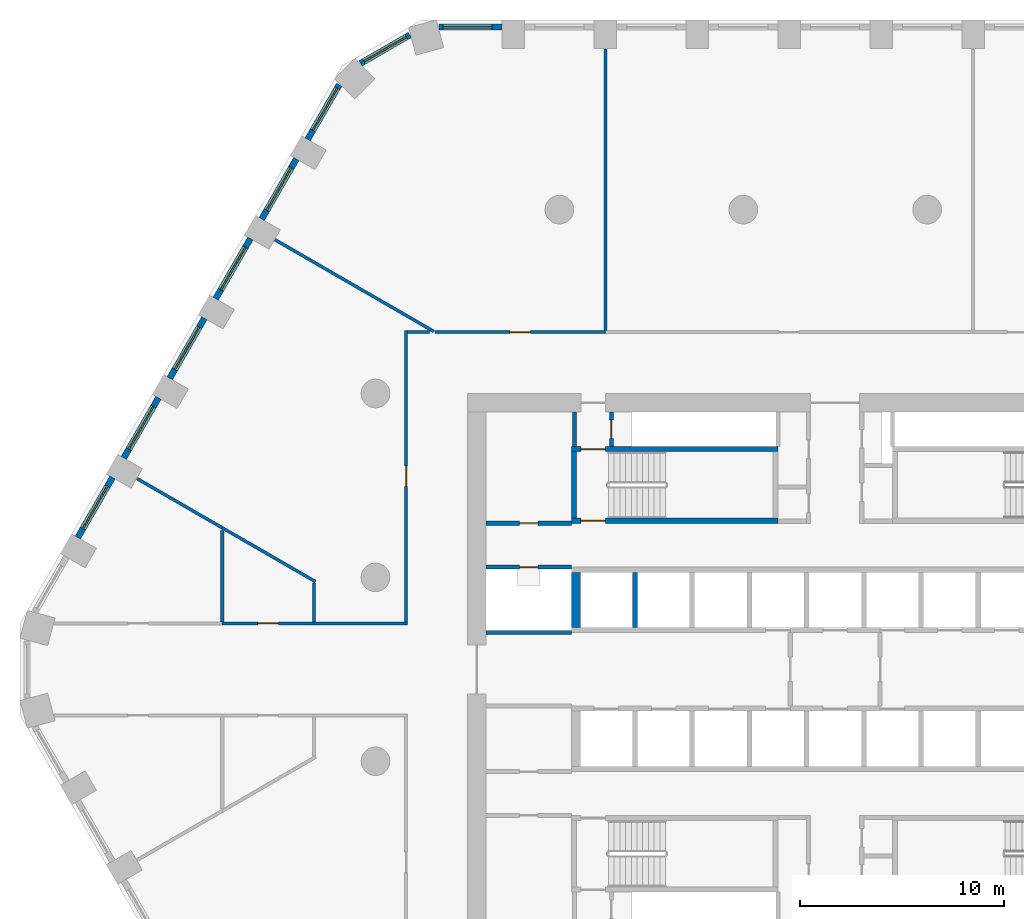
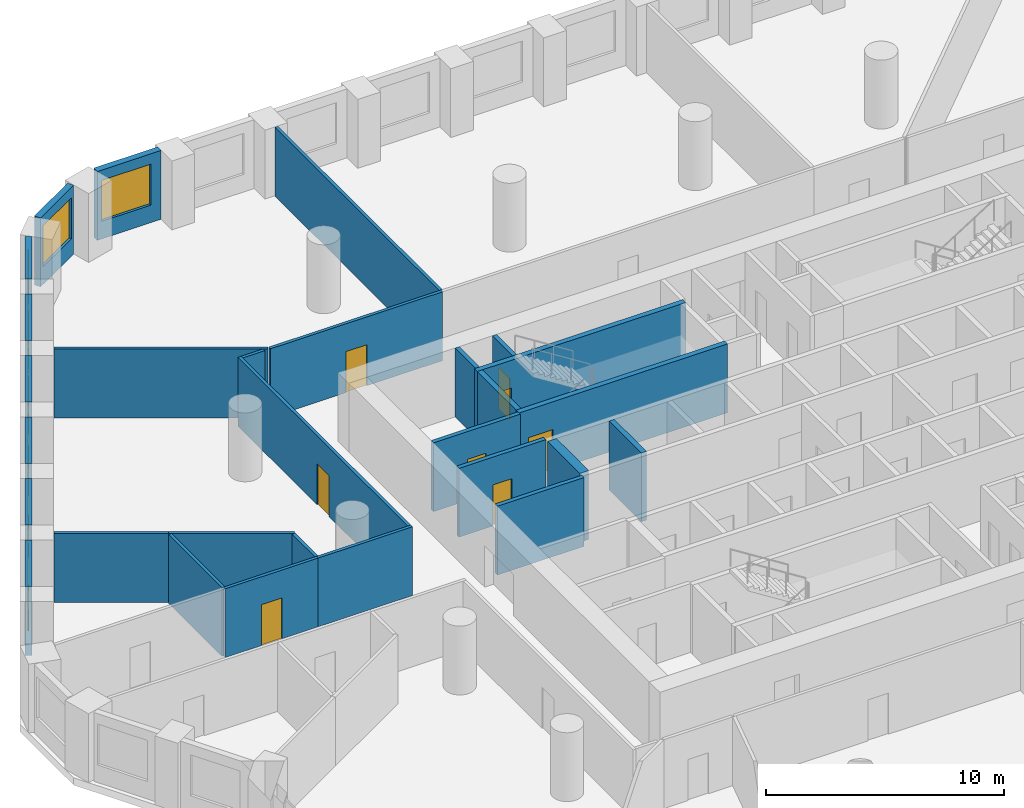
# One storey, part 5 of 10: 29 walls, 8 doors, 8 windows, 16 openings.
"""IFC4 building model written with IfcOpenShell, lengths in metres."""

from ifc_helpers import new_model, si_unit, direction, frame, frame_2d, origin, place, context, subcontext, project, spatial, polyline, rectangle, outline, extrude, material, layer, layer_set, type_object, element, fill, save


model = new_model("IFC4")

# Units and contexts
model_context = context("Model", 3, precision=1e-05, world=origin(), true_north=direction((0.0, 1.0)))
body_context = subcontext(model_context, "Body", "Model", "MODEL_VIEW")
ifc_project = project(units=[si_unit("LENGTHUNIT", "METRE"), si_unit("AREAUNIT", "SQUARE_METRE"), si_unit("VOLUMEUNIT", "CUBIC_METRE"), si_unit("PLANEANGLEUNIT", "RADIAN"), si_unit("MASSUNIT", "GRAM", prefix="KILO")], contexts=[model_context])

# Site, building, storey
site_placement = place(None, origin())
site = spatial("IfcSite", under=ifc_project, at=site_placement, CompositionType="ELEMENT")
building_placement = place(site_placement, origin())
building = spatial("IfcBuilding", under=site, at=building_placement, Name="Dhurran Vertical Campus", CompositionType="ELEMENT")
storey_placement = place(building_placement, frame((0.0, 0.0, 37.800048828125)))
storey = spatial("IfcBuildingStorey", under=building, at=storey_placement, Name="L08", CompositionType="ELEMENT", Elevation=37.800048828125)

# Wall, opening, window
ifc_material_1 = material(Name="Precast concrete C50/60", Category="concrete")
ifc_layer_1 = layer(ifc_material_1, 0.300048828125)
ifc_layer_set_1 = layer_set([ifc_layer_1], Name="Precast concrete C50/60")
wall_type_1 = type_object("IfcWallType", Name="Precast spandrel wall 300", PredefinedType="SOLIDWALL", material=ifc_layer_set_1)
wall_1_placement = place(storey_placement, frame((-16.300537109375, 31.4296875, 0.0), z_axis=(0.0, 0.0, 1.0), x_axis=(-1.0, 0.0, 0.0)))
wall_1 = element("IfcWall", 1, at=wall_1_placement, inside=storey, type_object=wall_type_1, Name="EW1 L08.34", PredefinedType="SOLIDWALL", context=body_context, shape_type="SweptSolid", body=[
    extrude(rectangle(XDim=3.090576171875, YDim=0.300048828125, at=frame_2d((1.54541015625, 0.0))), origin(), (0.0, 0.0, 1.0), 3.52490234375),
])
opening_1_placement = place(wall_1_placement, frame((0.49951171875, 0.0, 0.89990234375)))
opening_1 = element("IfcOpeningElement", 2, at=opening_1_placement, cuts=wall_1, Name="Opening WT1", PredefinedType="OPENING", context=body_context, shape_type="SweptSolid", body=[
    extrude(rectangle(XDim=2.39990234375, YDim=2.10009765625, at=frame_2d((1.199951171875, 1.050048828125))), frame((0.0, 0.159912109375, 0.0), z_axis=(0.0, -1.0, 0.0), x_axis=(1.0, 0.0, 0.0)), (0.0, 0.0, 1.0), 0.320068359375),
])
ifc_material_2 = material(Name="Aluminium frame with solar-control glass", Category="aluminium")
window_type = type_object("IfcWindowType", Name="Punched window 2400 x 2100", PartitioningType="SINGLE_PANEL", PredefinedType="WINDOW", material=ifc_material_2)
window_1_placement = place(opening_1_placement, origin())
window_1 = element("IfcWindow", 3, at=window_1_placement, inside=storey, type_object=window_type, Name="WT1 L08.34", OverallHeight=2.10009765625, OverallWidth=2.39990234375, PartitioningType="SINGLE_PANEL", PredefinedType="WINDOW", context=body_context, shape_type="SweptSolid", body=[
    extrude(rectangle(XDim=2.39990234375, YDim=2.10009765625, at=frame_2d((1.199951171875, 1.050048828125))), frame((0.0, 0.030029296875, 0.0), z_axis=(0.0, -1.0, 0.0), x_axis=(1.0, 0.0, 0.0)), (0.0, 0.0, 1.0), 0.06005859375),
])
fill(opening_1, window_1)

wall_2_placement = place(storey_placement, frame((-20.81884765625, 31.047119140625, 0.0), z_axis=(0.0, 0.0, 1.0), x_axis=(-0.866020456713, -0.500008568482, 0.0)))
wall_2 = element("IfcWall", 4, at=wall_2_placement, inside=storey, type_object=wall_type_1, Name="EW1 L08.35", PredefinedType="SOLIDWALL", context=body_context, shape_type="SweptSolid", body=[
    extrude(rectangle(XDim=2.7822265625, YDim=0.300048828125, at=frame_2d((1.39111328125, 0.0))), origin(), (0.0, 0.0, 1.0), 3.52490234375),
])
opening_2_placement = place(wall_2_placement, frame((0.191162109375, 0.0, 0.89990234375)))
opening_2 = element("IfcOpeningElement", 5, at=opening_2_placement, cuts=wall_2, Name="Opening WT1", PredefinedType="OPENING", context=body_context, shape_type="SweptSolid", body=[
    extrude(rectangle(XDim=2.39990234375, YDim=2.10009765625, at=frame_2d((1.199951171875, 1.050048828125))), frame((0.0, 0.159912109375, 0.0), z_axis=(0.0, -1.0, 0.0), x_axis=(1.0, 0.0, 0.0)), (0.0, 0.0, 1.0), 0.320068359375),
])
window_2_placement = place(opening_2_placement, origin())
window_2 = element("IfcWindow", 6, at=window_2_placement, inside=storey, type_object=window_type, Name="WT1 L08.35", OverallHeight=2.10009765625, OverallWidth=2.39990234375, PartitioningType="SINGLE_PANEL", PredefinedType="WINDOW", context=body_context, shape_type="SweptSolid", body=[
    extrude(rectangle(XDim=2.39990234375, YDim=2.10009765625, at=frame_2d((1.199951171875, 1.050048828125))), frame((0.0, 0.030029296875, 0.0), z_axis=(0.0, -1.0, 0.0), x_axis=(1.0, 0.0, 0.0)), (0.0, 0.0, 1.0), 0.06005859375),
])
fill(opening_2, window_2)

wall_3_placement = place(storey_placement, frame((-24.2734375, 28.611083984375, 0.0), z_axis=(0.0, 0.0, 1.0), x_axis=(-0.499995950774, -0.866027741594, 0.0)))
wall_3 = element("IfcWall", 7, at=wall_3_placement, inside=storey, type_object=wall_type_1, Name="EW1 L08.36", PredefinedType="SOLIDWALL", context=body_context, shape_type="SweptSolid", body=[
    extrude(rectangle(XDim=3.0908203125, YDim=0.300048828125, at=frame_2d((1.54541015625, 0.0))), origin(), (0.0, 0.0, 1.0), 3.52490234375),
])
opening_3_placement = place(wall_3_placement, frame((0.191162109375, 0.0, 0.89990234375)))
opening_3 = element("IfcOpeningElement", 8, at=opening_3_placement, cuts=wall_3, Name="Opening WT1", PredefinedType="OPENING", context=body_context, shape_type="SweptSolid", body=[
    extrude(rectangle(XDim=2.39990234375, YDim=2.10009765625, at=frame_2d((1.199951171875, 1.050048828125))), frame((0.0, 0.159912109375, 0.0), z_axis=(0.0, -1.0, 0.0), x_axis=(1.0, 0.0, 0.0)), (0.0, 0.0, 1.0), 0.320068359375),
])
window_3_placement = place(opening_3_placement, origin())
window_3 = element("IfcWindow", 9, at=window_3_placement, inside=storey, type_object=window_type, Name="WT1 L08.36", OverallHeight=2.10009765625, OverallWidth=2.39990234375, PartitioningType="SINGLE_PANEL", PredefinedType="WINDOW", context=body_context, shape_type="SweptSolid", body=[
    extrude(rectangle(XDim=2.39990234375, YDim=2.10009765625, at=frame_2d((1.199951171875, 1.050048828125))), frame((0.0, 0.030029296875, 0.0), z_axis=(0.0, -1.0, 0.0), x_axis=(1.0, 0.0, 0.0)), (0.0, 0.0, 1.0), 0.06005859375),
])
fill(opening_3, window_3)

wall_4_placement = place(storey_placement, frame((-26.369384765625, 24.98095703125, 0.0), z_axis=(0.0, 0.0, 1.0), x_axis=(-0.499993955907, -0.866028893315, 0.0)))
wall_4 = element("IfcWall", 10, at=wall_4_placement, inside=storey, type_object=wall_type_1, Name="EW1 L08.37", PredefinedType="SOLIDWALL", context=body_context, shape_type="SweptSolid", body=[
    extrude(rectangle(XDim=3.39892578125, YDim=0.300048828125, at=frame_2d((1.699462890625, 0.0))), origin(), (0.0, 0.0, 1.0), 3.52490234375),
])
opening_4_placement = place(wall_4_placement, frame((0.49951171875, 0.0, 0.89990234375)))
opening_4 = element("IfcOpeningElement", 11, at=opening_4_placement, cuts=wall_4, Name="Opening WT1", PredefinedType="OPENING", context=body_context, shape_type="SweptSolid", body=[
    extrude(rectangle(XDim=2.39990234375, YDim=2.10009765625, at=frame_2d((1.199951171875, 1.050048828125))), frame((0.0, 0.159912109375, 0.0), z_axis=(0.0, -1.0, 0.0), x_axis=(1.0, 0.0, 0.0)), (0.0, 0.0, 1.0), 0.320068359375),
])
window_4_placement = place(opening_4_placement, origin())
window_4 = element("IfcWindow", 12, at=window_4_placement, inside=storey, type_object=window_type, Name="WT1 L08.37", OverallHeight=2.10009765625, OverallWidth=2.39990234375, PartitioningType="SINGLE_PANEL", PredefinedType="WINDOW", context=body_context, shape_type="SweptSolid", body=[
    extrude(rectangle(XDim=2.39990234375, YDim=2.10009765625, at=frame_2d((1.199951171875, 1.050048828125))), frame((0.0, 0.030029296875, 0.0), z_axis=(0.0, -1.0, 0.0), x_axis=(1.0, 0.0, 0.0)), (0.0, 0.0, 1.0), 0.06005859375),
])
fill(opening_4, window_4)

wall_5_placement = place(storey_placement, frame((-28.619384765625, 21.083740234375, 0.0), z_axis=(0.0, 0.0, 1.0), x_axis=(-0.499993955907, -0.866028893315, 0.0)))
wall_5 = element("IfcWall", 13, at=wall_5_placement, inside=storey, type_object=wall_type_1, Name="EW1 L08.38", PredefinedType="SOLIDWALL", context=body_context, shape_type="SweptSolid", body=[
    extrude(rectangle(XDim=3.39892578125, YDim=0.300048828125, at=frame_2d((1.699462890625, 0.0))), origin(), (0.0, 0.0, 1.0), 3.52490234375),
])
opening_5_placement = place(wall_5_placement, frame((0.49951171875, 0.0, 0.89990234375)))
opening_5 = element("IfcOpeningElement", 14, at=opening_5_placement, cuts=wall_5, Name="Opening WT1", PredefinedType="OPENING", context=body_context, shape_type="SweptSolid", body=[
    extrude(rectangle(XDim=2.39990234375, YDim=2.10009765625, at=frame_2d((1.199951171875, 1.050048828125))), frame((0.0, 0.159912109375, 0.0), z_axis=(0.0, -1.0, 0.0), x_axis=(1.0, 0.0, 0.0)), (0.0, 0.0, 1.0), 0.320068359375),
])
window_5_placement = place(opening_5_placement, origin())
window_5 = element("IfcWindow", 15, at=window_5_placement, inside=storey, type_object=window_type, Name="WT1 L08.38", OverallHeight=2.10009765625, OverallWidth=2.39990234375, PartitioningType="SINGLE_PANEL", PredefinedType="WINDOW", context=body_context, shape_type="SweptSolid", body=[
    extrude(rectangle(XDim=2.39990234375, YDim=2.10009765625, at=frame_2d((1.199951171875, 1.050048828125))), frame((0.0, 0.030029296875, 0.0), z_axis=(0.0, -1.0, 0.0), x_axis=(1.0, 0.0, 0.0)), (0.0, 0.0, 1.0), 0.06005859375),
])
fill(opening_5, window_5)

wall_6_placement = place(storey_placement, frame((-30.869384765625, 17.186767578125, 0.0), z_axis=(0.0, 0.0, 1.0), x_axis=(-0.499993955907, -0.866028893315, 0.0)))
wall_6 = element("IfcWall", 16, at=wall_6_placement, inside=storey, type_object=wall_type_1, Name="EW1 L08.39", PredefinedType="SOLIDWALL", context=body_context, shape_type="SweptSolid", body=[
    extrude(rectangle(XDim=3.39892578125, YDim=0.300048828125, at=frame_2d((1.699462890625, 0.0))), origin(), (0.0, 0.0, 1.0), 3.52490234375),
])
opening_6_placement = place(wall_6_placement, frame((0.49951171875, 0.0, 0.89990234375)))
opening_6 = element("IfcOpeningElement", 17, at=opening_6_placement, cuts=wall_6, Name="Opening WT1", PredefinedType="OPENING", context=body_context, shape_type="SweptSolid", body=[
    extrude(rectangle(XDim=2.39990234375, YDim=2.10009765625, at=frame_2d((1.199951171875, 1.050048828125))), frame((0.0, 0.159912109375, 0.0), z_axis=(0.0, -1.0, 0.0), x_axis=(1.0, 0.0, 0.0)), (0.0, 0.0, 1.0), 0.320068359375),
])
window_6_placement = place(opening_6_placement, origin())
window_6 = element("IfcWindow", 18, at=window_6_placement, inside=storey, type_object=window_type, Name="WT1 L08.39", OverallHeight=2.10009765625, OverallWidth=2.39990234375, PartitioningType="SINGLE_PANEL", PredefinedType="WINDOW", context=body_context, shape_type="SweptSolid", body=[
    extrude(rectangle(XDim=2.39990234375, YDim=2.10009765625, at=frame_2d((1.199951171875, 1.050048828125))), frame((0.0, 0.030029296875, 0.0), z_axis=(0.0, -1.0, 0.0), x_axis=(1.0, 0.0, 0.0)), (0.0, 0.0, 1.0), 0.06005859375),
])
fill(opening_6, window_6)

wall_7_placement = place(storey_placement, frame((-33.119384765625, 13.28955078125, 0.0), z_axis=(0.0, 0.0, 1.0), x_axis=(-0.499993955907, -0.866028893315, 0.0)))
wall_7 = element("IfcWall", 19, at=wall_7_placement, inside=storey, type_object=wall_type_1, Name="EW1 L08.40", PredefinedType="SOLIDWALL", context=body_context, shape_type="SweptSolid", body=[
    extrude(rectangle(XDim=3.39892578125, YDim=0.300048828125, at=frame_2d((1.699462890625, 0.0))), origin(), (0.0, 0.0, 1.0), 3.52490234375),
])
opening_7_placement = place(wall_7_placement, frame((0.49951171875, 0.0, 0.89990234375)))
opening_7 = element("IfcOpeningElement", 20, at=opening_7_placement, cuts=wall_7, Name="Opening WT1", PredefinedType="OPENING", context=body_context, shape_type="SweptSolid", body=[
    extrude(rectangle(XDim=2.39990234375, YDim=2.10009765625, at=frame_2d((1.199951171875, 1.050048828125))), frame((0.0, 0.159912109375, 0.0), z_axis=(0.0, -1.0, 0.0), x_axis=(1.0, 0.0, 0.0)), (0.0, 0.0, 1.0), 0.320068359375),
])
window_7_placement = place(opening_7_placement, origin())
window_7 = element("IfcWindow", 21, at=window_7_placement, inside=storey, type_object=window_type, Name="WT1 L08.40", OverallHeight=2.10009765625, OverallWidth=2.39990234375, PartitioningType="SINGLE_PANEL", PredefinedType="WINDOW", context=body_context, shape_type="SweptSolid", body=[
    extrude(rectangle(XDim=2.39990234375, YDim=2.10009765625, at=frame_2d((1.199951171875, 1.050048828125))), frame((0.0, 0.030029296875, 0.0), z_axis=(0.0, -1.0, 0.0), x_axis=(1.0, 0.0, 0.0)), (0.0, 0.0, 1.0), 0.06005859375),
])
fill(opening_7, window_7)

wall_8_placement = place(storey_placement, frame((-35.369384765625, 9.392578125, 0.0), z_axis=(0.0, 0.0, 1.0), x_axis=(-0.499993955907, -0.866028893315, 0.0)))
wall_8 = element("IfcWall", 22, at=wall_8_placement, inside=storey, type_object=wall_type_1, Name="EW1 L08.41", PredefinedType="SOLIDWALL", context=body_context, shape_type="SweptSolid", body=[
    extrude(rectangle(XDim=3.39892578125, YDim=0.300048828125, at=frame_2d((1.699462890625, 0.0))), origin(), (0.0, 0.0, 1.0), 3.52490234375),
])
opening_8_placement = place(wall_8_placement, frame((0.49951171875, 0.0, 0.89990234375)))
opening_8 = element("IfcOpeningElement", 23, at=opening_8_placement, cuts=wall_8, Name="Opening WT1", PredefinedType="OPENING", context=body_context, shape_type="SweptSolid", body=[
    extrude(rectangle(XDim=2.39990234375, YDim=2.10009765625, at=frame_2d((1.199951171875, 1.050048828125))), frame((0.0, 0.159912109375, 0.0), z_axis=(0.0, -1.0, 0.0), x_axis=(1.0, 0.0, 0.0)), (0.0, 0.0, 1.0), 0.320068359375),
])
window_8_placement = place(opening_8_placement, origin())
window_8 = element("IfcWindow", 24, at=window_8_placement, inside=storey, type_object=window_type, Name="WT1 L08.41", OverallHeight=2.10009765625, OverallWidth=2.39990234375, PartitioningType="SINGLE_PANEL", PredefinedType="WINDOW", context=body_context, shape_type="SweptSolid", body=[
    extrude(rectangle(XDim=2.39990234375, YDim=2.10009765625, at=frame_2d((1.199951171875, 1.050048828125))), frame((0.0, 0.030029296875, 0.0), z_axis=(0.0, -1.0, 0.0), x_axis=(1.0, 0.0, 0.0)), (0.0, 0.0, 1.0), 0.06005859375),
])
fill(opening_8, window_8)

# Wall
ifc_material_3 = material(Name="Fire-rated masonry blockwork", Category="masonry")
ifc_layer_2 = layer(ifc_material_3, 0.199951171875)
ifc_layer_set_2 = layer_set([ifc_layer_2], Name="Fire-rated masonry blockwork")
wall_type_2 = type_object("IfcWallType", Name="co-FIRE-PARTITION-200", PredefinedType="PARTITIONING", material=ifc_layer_set_2)
wall_9_placement = place(storey_placement, frame((-12.75, 10.89990234375, 0.0), z_axis=(0.0, 0.0, 1.0), x_axis=(0.0, 1.0, 0.0)))
element("IfcWall", 25, at=wall_9_placement, inside=storey, type_object=wall_type_2, Name="Core partition pass-ST1-o L08", PredefinedType="PARTITIONING", context=body_context, shape_type="SweptSolid", body=[
    extrude(rectangle(XDim=1.7001953125, YDim=0.199951171875, at=frame_2d((0.85009765625, 0.0))), origin(), (0.0, 0.0, 1.0), 3.52490234375),
])

# Wall, opening, door
wall_10_placement = place(storey_placement, frame((-10.949951171875, 10.89990234375, 0.0), z_axis=(0.0, 0.0, 1.0), x_axis=(0.0, 1.0, 0.0)))
wall_10 = element("IfcWall", 26, at=wall_10_placement, inside=storey, type_object=wall_type_2, Name="Core partition pass-ST1-i L08", PredefinedType="PARTITIONING", context=body_context, shape_type="SweptSolid", body=[
    extrude(rectangle(XDim=1.7001953125, YDim=0.199951171875, at=frame_2d((0.85009765625, 0.0))), origin(), (0.0, 0.0, 1.0), 3.52490234375),
])
opening_9_placement = place(wall_10_placement, frame((0.39990234375, 0.0, 0.0)))
opening_9 = element("IfcOpeningElement", 27, at=opening_9_placement, cuts=wall_10, Name="Opening T01-C9", PredefinedType="OPENING", context=body_context, shape_type="SweptSolid", body=[
    extrude(rectangle(XDim=0.89990234375, YDim=2.10009765625, at=frame_2d((0.449951171875, 1.050048828125))), frame((0.0, 0.10986328125, 0.0), z_axis=(0.0, -1.0, 0.0), x_axis=(1.0, 0.0, 0.0)), (0.0, 0.0, 1.0), 0.219970703125),
])
ifc_material_4 = material(Name="Fire-rated timber door set", Category="wood")
door_type_1 = type_object("IfcDoorType", Name="co-D-ROOM 900x2100", OperationType="SINGLE_SWING_LEFT", PredefinedType="DOOR", material=ifc_material_4)
door_1_placement = place(opening_9_placement, origin())
door_1 = element("IfcDoor", 28, at=door_1_placement, inside=storey, type_object=door_type_1, Name="Riser room door L08", OperationType="SINGLE_SWING_LEFT", OverallHeight=2.10009765625, OverallWidth=0.89990234375, PredefinedType="DOOR", context=body_context, shape_type="SweptSolid", body=[
    extrude(rectangle(XDim=0.89990234375, YDim=2.10009765625, at=frame_2d((0.449951171875, 1.050048828125))), frame((0.0, 0.02490234375, 0.0), z_axis=(0.0, -1.0, 0.0), x_axis=(1.0, 0.0, 0.0)), (0.0, 0.0, 1.0), 0.050048828125),
])
fill(opening_9, door_1)

wall_11_placement = place(storey_placement, frame((-17.10009765625, 7.14990234375, 0.0), z_axis=(0.0, 0.0, 1.0), x_axis=(1.0, 0.0, 0.0)))
wall_11 = element("IfcWall", 29, at=wall_11_placement, inside=storey, type_object=wall_type_2, Name="Core partition en-NW-w L08", PredefinedType="PARTITIONING", context=body_context, shape_type="SweptSolid", body=[
    extrude(rectangle(XDim=4.2001953125, YDim=0.199951171875, at=frame_2d((2.10009765625, 0.0))), origin(), (0.0, 0.0, 1.0), 3.52490234375),
])
opening_10_placement = place(wall_11_placement, frame((1.64990234375, 0.0, 0.0)))
opening_10 = element("IfcOpeningElement", 30, at=opening_10_placement, cuts=wall_11, Name="Opening T01-C13", PredefinedType="OPENING", context=body_context, shape_type="SweptSolid", body=[
    extrude(rectangle(XDim=0.89990234375, YDim=2.10009765625, at=frame_2d((0.449951171875, 1.050048828125))), frame((0.0, 0.10986328125, 0.0), z_axis=(0.0, -1.0, 0.0), x_axis=(1.0, 0.0, 0.0)), (0.0, 0.0, 1.0), 0.219970703125),
])
door_2_placement = place(opening_10_placement, origin())
door_2 = element("IfcDoor", 31, at=door_2_placement, inside=storey, type_object=door_type_1, Name="Pantry door L08", OperationType="SINGLE_SWING_LEFT", OverallHeight=2.10009765625, OverallWidth=0.89990234375, PredefinedType="DOOR", context=body_context, shape_type="SweptSolid", body=[
    extrude(rectangle(XDim=0.89990234375, YDim=2.10009765625, at=frame_2d((0.449951171875, 1.050048828125))), frame((0.0, 0.02490234375, 0.0), z_axis=(0.0, -1.0, 0.0), x_axis=(1.0, 0.0, 0.0)), (0.0, 0.0, 1.0), 0.050048828125),
])
fill(opening_10, door_2)

wall_12_placement = place(storey_placement, frame((-17.10009765625, 5.0, 0.0), z_axis=(0.0, 0.0, 1.0), x_axis=(1.0, 0.0, 0.0)))
wall_12 = element("IfcWall", 32, at=wall_12_placement, inside=storey, type_object=wall_type_2, Name="Core partition es-NW-w L08", PredefinedType="PARTITIONING", context=body_context, shape_type="SweptSolid", body=[
    extrude(rectangle(XDim=4.2001953125, YDim=0.199951171875, at=frame_2d((2.10009765625, 0.0))), origin(), (0.0, 0.0, 1.0), 3.52490234375),
])
opening_11_placement = place(wall_12_placement, frame((1.64990234375, 0.0, 0.0)))
opening_11 = element("IfcOpeningElement", 33, at=opening_11_placement, cuts=wall_12, Name="Opening T01-C14", PredefinedType="OPENING", context=body_context, shape_type="SweptSolid", body=[
    extrude(rectangle(XDim=0.89990234375, YDim=2.10009765625, at=frame_2d((0.449951171875, 1.050048828125))), frame((0.0, 0.10986328125, 0.0), z_axis=(0.0, -1.0, 0.0), x_axis=(1.0, 0.0, 0.0)), (0.0, 0.0, 1.0), 0.219970703125),
])
door_3_placement = place(opening_11_placement, origin())
door_3 = element("IfcDoor", 34, at=door_3_placement, inside=storey, type_object=door_type_1, Name="Water riser door L08", OperationType="SINGLE_SWING_LEFT", OverallHeight=2.10009765625, OverallWidth=0.89990234375, PredefinedType="DOOR", context=body_context, shape_type="SweptSolid", body=[
    extrude(rectangle(XDim=0.89990234375, YDim=2.10009765625, at=frame_2d((0.449951171875, 1.050048828125))), frame((0.0, 0.02490234375, 0.0), z_axis=(0.0, -1.0, 0.0), x_axis=(1.0, 0.0, 0.0)), (0.0, 0.0, 1.0), 0.050048828125),
])
fill(opening_11, door_3)

# Walls
wall_13_placement = place(storey_placement, frame((-17.10009765625, 1.800048828125, 0.0), z_axis=(0.0, 0.0, 1.0), x_axis=(1.0, 0.0, 0.0)))
element("IfcWall", 35, at=wall_13_placement, inside=storey, type_object=wall_type_2, Name="Core partition es-NW-l L08", PredefinedType="PARTITIONING", context=body_context, shape_type="SweptSolid", body=[
    extrude(rectangle(XDim=4.2001953125, YDim=0.199951171875, at=frame_2d((2.10009765625, 0.0))), origin(), (0.0, 0.0, 1.0), 3.52490234375),
])
ifc_material_5 = material(Name="Concrete C50/60", Category="concrete")
ifc_layer_3 = layer(ifc_material_5, 0.25)
ifc_layer_set_3 = layer_set([ifc_layer_3], Name="Concrete C50/60")
wall_type_3 = type_object("IfcWallType", Name="co-SHAFT-MASS-250", PredefinedType="SHEAR", material=ifc_layer_set_3)
wall_14_placement = place(storey_placement, origin())
element("IfcWall", 36, at=wall_14_placement, inside=storey, type_object=wall_type_3, Name="Lift shaft wall N L08 2", PredefinedType="SHEAR", context=body_context, shape_type="SweptSolid", body=[
    extrude(outline(polyline([(-12.89990234375, 2.050048828125), (-12.47509765625, 2.050048828125), (-12.47509765625, 4.75), (-12.89990234375, 4.75), (-12.89990234375, 2.050048828125)])), origin(), (0.0, 0.0, 1.0), 3.52490234375),
])
wall_15_placement = place(storey_placement, origin())
element("IfcWall", 37, at=wall_15_placement, inside=storey, type_object=wall_type_3, Name="Lift shaft wall N L08 3", PredefinedType="SHEAR", context=body_context, shape_type="SweptSolid", body=[
    extrude(outline(polyline([(-9.925048828125, 2.050048828125), (-9.675048828125, 2.050048828125), (-9.675048828125, 4.75), (-9.925048828125, 4.75), (-9.925048828125, 2.050048828125)])), origin(), (0.0, 0.0, 1.0), 3.52490234375),
])

# Wall, opening, door
ifc_material_6 = material(Name="Concrete C40/50", Category="concrete")
ifc_layer_4 = layer(ifc_material_6, 0.25)
ifc_layer_set_4 = layer_set([ifc_layer_4], Name="Concrete C40/50")
wall_type_4 = type_object("IfcWallType", Name="co-STAIR-WALL-250", PredefinedType="SHEAR", material=ifc_layer_set_4)
wall_16_placement = place(storey_placement, frame((-12.89990234375, 7.27490234375, 0.0), z_axis=(0.0, 0.0, 1.0), x_axis=(1.0, 0.0, 0.0)))
wall_16 = element("IfcWall", 38, at=wall_16_placement, inside=storey, type_object=wall_type_4, Name="Stair ST1 enclosure wall L08", PredefinedType="SHEAR", context=body_context, shape_type="SweptSolid", body=[
    extrude(rectangle(XDim=10.099853515625, YDim=0.25, at=frame_2d((5.0498046875, 0.0))), origin(), (0.0, 0.0, 1.0), 3.52490234375),
])
opening_12_placement = place(wall_16_placement, frame((0.449951171875, 0.0, 0.0)))
opening_12 = element("IfcOpeningElement", 39, at=opening_12_placement, cuts=wall_16, Name="Opening SD1", PredefinedType="OPENING", context=body_context, shape_type="SweptSolid", body=[
    extrude(rectangle(XDim=1.199951171875, YDim=2.10009765625, at=frame_2d((0.60009765625, 1.050048828125))), frame((0.0, 0.135009765625, 0.0), z_axis=(0.0, -1.0, 0.0), x_axis=(1.0, 0.0, 0.0)), (0.0, 0.0, 1.0), 0.27001953125),
])
ifc_material_7 = material(Name="Fire-rated steel door set", Category="steel")
door_type_2 = type_object("IfcDoorType", Name="co-D-STAIR 1200x2100", OperationType="SINGLE_SWING_LEFT", PredefinedType="DOOR", material=ifc_material_7)
door_4_placement = place(opening_12_placement, origin())
door_4 = element("IfcDoor", 40, at=door_4_placement, inside=storey, type_object=door_type_2, Name="Stair ST1 door L08", OperationType="SINGLE_SWING_LEFT", OverallHeight=2.10009765625, OverallWidth=1.199951171875, PredefinedType="DOOR", context=body_context, shape_type="SweptSolid", body=[
    extrude(rectangle(XDim=1.199951171875, YDim=2.10009765625, at=frame_2d((0.60009765625, 1.050048828125))), frame((0.0, 0.02490234375, 0.0), z_axis=(0.0, -1.0, 0.0), x_axis=(1.0, 0.0, 0.0)), (0.0, 0.0, 1.0), 0.050048828125),
])
fill(opening_12, door_4)

wall_17_placement = place(storey_placement, frame((-12.89990234375, 10.77490234375, 0.0), z_axis=(0.0, 0.0, 1.0), x_axis=(1.0, 0.0, 0.0)))
wall_17 = element("IfcWall", 41, at=wall_17_placement, inside=storey, type_object=wall_type_4, Name="Stair ST1 enclosure wall L08", PredefinedType="SHEAR", context=body_context, shape_type="SweptSolid", body=[
    extrude(rectangle(XDim=10.099853515625, YDim=0.25, at=frame_2d((5.0498046875, 0.0))), origin(), (0.0, 0.0, 1.0), 3.52490234375),
])
opening_13_placement = place(wall_17_placement, frame((0.449951171875, 0.0, 0.0)))
opening_13 = element("IfcOpeningElement", 42, at=opening_13_placement, cuts=wall_17, Name="Opening XS1", PredefinedType="OPENING", context=body_context, shape_type="SweptSolid", body=[
    extrude(rectangle(XDim=1.199951171875, YDim=2.10009765625, at=frame_2d((0.60009765625, 1.050048828125))), frame((0.0, 0.135009765625, 0.0), z_axis=(0.0, -1.0, 0.0), x_axis=(1.0, 0.0, 0.0)), (0.0, 0.0, 1.0), 0.27001953125),
])
ifc_material_8 = material(Name="Fire-rated steel door set", Category="steel")
door_type_3 = type_object("IfcDoorType", Name="co-D-STAIR-EXIT 1200x2100", OperationType="SINGLE_SWING_RIGHT", PredefinedType="DOOR", material=ifc_material_8)
door_5_placement = place(opening_13_placement, origin())
door_5 = element("IfcDoor", 43, at=door_5_placement, inside=storey, type_object=door_type_3, Name="Stair ST1 discharge door L08", OperationType="SINGLE_SWING_RIGHT", OverallHeight=2.10009765625, OverallWidth=1.199951171875, PredefinedType="DOOR", context=body_context, shape_type="SweptSolid", body=[
    extrude(rectangle(XDim=1.199951171875, YDim=2.10009765625, at=frame_2d((0.60009765625, 1.050048828125))), frame((0.0, 0.02490234375, 0.0), z_axis=(0.0, -1.0, 0.0), x_axis=(1.0, 0.0, 0.0)), (0.0, 0.0, 1.0), 0.050048828125),
])
fill(opening_13, door_5)

# Wall
wall_18_placement = place(storey_placement, frame((-12.77490234375, 7.39990234375, 0.0), z_axis=(0.0, 0.0, 1.0), x_axis=(0.0, 1.0, 0.0)))
element("IfcWall", 44, at=wall_18_placement, inside=storey, type_object=wall_type_4, Name="Stair ST1 enclosure wall L08", PredefinedType="SHEAR", context=body_context, shape_type="SweptSolid", body=[
    extrude(rectangle(XDim=3.25, YDim=0.25, at=frame_2d((1.625, 0.0))), origin(), (0.0, 0.0, 1.0), 3.52490234375),
])

# Wall, opening, door
ifc_material_9 = material(Name="Gypsum board corridor wall on steel studs", Category="steel")
ifc_layer_5 = layer(ifc_material_9, 0.14990234375)
ifc_layer_set_5 = layer_set([ifc_layer_5], Name="Gypsum board corridor wall on steel studs")
wall_type_5 = type_object("IfcWallType", Name="fl-CW-150 corridor wall", PredefinedType="PARTITIONING", material=ifc_layer_set_5)
wall_19_placement = place(storey_placement, frame((-30.0, 2.25, 0.0), z_axis=(0.0, 0.0, 1.0), x_axis=(1.0, 0.0, 0.0)))
wall_19 = element("IfcWall", 45, at=wall_19_placement, inside=storey, type_object=wall_type_5, Name="Partition 08-09", PredefinedType="PARTITIONING", context=body_context, shape_type="SweptSolid", body=[
    extrude(rectangle(XDim=4.5, YDim=0.14990234375, at=frame_2d((2.25, 0.0))), origin(), (0.0, 0.0, 1.0), 3.52490234375),
])
opening_14_placement = place(wall_19_placement, frame((1.75, 0.0, 0.0)))
opening_14 = element("IfcOpeningElement", 46, at=opening_14_placement, cuts=wall_19, Name="Opening T01.04", PredefinedType="OPENING", context=body_context, shape_type="SweptSolid", body=[
    extrude(rectangle(XDim=1.0, YDim=2.10009765625, at=frame_2d((0.5, 1.050048828125))), frame((0.0, 0.0849609375, 0.0), z_axis=(0.0, -1.0, 0.0), x_axis=(1.0, 0.0, 0.0)), (0.0, 0.0, 1.0), 0.169921875),
])
ifc_material_10 = material(Name="Solid-core timber door set, fire-rated", Category="wood")
door_type_4 = type_object("IfcDoorType", Name="fl-D-1000x2100", OperationType="SINGLE_SWING_LEFT", PredefinedType="DOOR", material=ifc_material_10)
door_6_placement = place(opening_14_placement, origin())
door_6 = element("IfcDoor", 47, at=door_6_placement, inside=storey, type_object=door_type_4, Name="Door 08.04", OperationType="SINGLE_SWING_RIGHT", OverallHeight=2.10009765625, OverallWidth=1.0, PredefinedType="DOOR", context=body_context, shape_type="SweptSolid", body=[
    extrude(rectangle(XDim=1.0, YDim=2.10009765625, at=frame_2d((0.5, 1.050048828125))), frame((0.0, 0.02490234375, 0.0), z_axis=(0.0, -1.0, 0.0), x_axis=(1.0, 0.0, 0.0)), (0.0, 0.0, 1.0), 0.050048828125),
])
fill(opening_14, door_6)

# Wall
wall_20_placement = place(storey_placement, frame((-25.5, 2.25, 0.0), z_axis=(0.0, 0.0, 1.0), x_axis=(1.0, 0.0, 0.0)))
element("IfcWall", 48, at=wall_20_placement, inside=storey, type_object=wall_type_5, Name="Partition 08-16", PredefinedType="PARTITIONING", context=body_context, shape_type="SweptSolid", body=[
    extrude(rectangle(XDim=4.574951171875, YDim=0.14990234375, at=frame_2d((2.28759765625, 0.0))), origin(), (0.0, 0.0, 1.0), 3.52490234375),
])

# Wall, opening, door
wall_21_placement = place(storey_placement, frame((-21.0, 16.574951171875, 0.0), z_axis=(0.0, 0.0, 1.0), x_axis=(0.0, -1.0, 0.0)))
wall_21 = element("IfcWall", 49, at=wall_21_placement, inside=storey, type_object=wall_type_5, Name="Partition 08-19", PredefinedType="PARTITIONING", context=body_context, shape_type="SweptSolid", body=[
    extrude(rectangle(XDim=14.25, YDim=0.14990234375, at=frame_2d((7.125, 0.0))), origin(), (0.0, 0.0, 1.0), 3.52490234375),
])
opening_15_placement = place(wall_21_placement, frame((6.625, 0.0, 0.0)))
opening_15 = element("IfcOpeningElement", 50, at=opening_15_placement, cuts=wall_21, Name="Opening T01.06", PredefinedType="OPENING", context=body_context, shape_type="SweptSolid", body=[
    extrude(rectangle(XDim=1.0, YDim=2.10009765625, at=frame_2d((0.5, 1.050048828125))), frame((0.0, 0.0849609375, 0.0), z_axis=(0.0, -1.0, 0.0), x_axis=(1.0, 0.0, 0.0)), (0.0, 0.0, 1.0), 0.169921875),
])
door_7_placement = place(opening_15_placement, origin())
door_7 = element("IfcDoor", 51, at=door_7_placement, inside=storey, type_object=door_type_4, Name="Door 08.06", OperationType="SINGLE_SWING_RIGHT", OverallHeight=2.10009765625, OverallWidth=1.0, PredefinedType="DOOR", context=body_context, shape_type="SweptSolid", body=[
    extrude(rectangle(XDim=1.0, YDim=2.10009765625, at=frame_2d((0.5, 1.050048828125))), frame((0.0, 0.02490234375, 0.0), z_axis=(0.0, -1.0, 0.0), x_axis=(1.0, 0.0, 0.0)), (0.0, 0.0, 1.0), 0.050048828125),
])
fill(opening_15, door_7)

# Wall
wall_22_placement = place(storey_placement, frame((-19.85400390625, 16.5, 0.0), z_axis=(0.0, 0.0, 1.0), x_axis=(-1.0, 0.0, 0.0)))
element("IfcWall", 52, at=wall_22_placement, inside=storey, type_object=wall_type_5, Name="Partition 08-20", PredefinedType="PARTITIONING", context=body_context, shape_type="SweptSolid", body=[
    extrude(rectangle(XDim=1.071044921875, YDim=0.14990234375, at=frame_2d((0.53564453125, 0.0))), origin(), (0.0, 0.0, 1.0), 3.52490234375),
])

# Wall, opening, door
wall_23_placement = place(storey_placement, frame((-11.25, 16.5, 0.0), z_axis=(0.0, 0.0, 1.0), x_axis=(-1.0, 0.0, 0.0)))
wall_23 = element("IfcWall", 53, at=wall_23_placement, inside=storey, type_object=wall_type_5, Name="Partition 08-23", PredefinedType="PARTITIONING", context=body_context, shape_type="SweptSolid", body=[
    extrude(rectangle(XDim=8.3291015625, YDim=0.14990234375, at=frame_2d((4.16455078125, 0.0))), origin(), (0.0, 0.0, 1.0), 3.52490234375),
])
opening_16_placement = place(wall_23_placement, frame((3.66455078125, 0.0, 0.0)))
opening_16 = element("IfcOpeningElement", 54, at=opening_16_placement, cuts=wall_23, Name="Opening T01.08", PredefinedType="OPENING", context=body_context, shape_type="SweptSolid", body=[
    extrude(rectangle(XDim=1.0, YDim=2.10009765625, at=frame_2d((0.5, 1.050048828125))), frame((0.0, 0.0849609375, 0.0), z_axis=(0.0, -1.0, 0.0), x_axis=(1.0, 0.0, 0.0)), (0.0, 0.0, 1.0), 0.169921875),
])
door_8_placement = place(opening_16_placement, origin())
door_8 = element("IfcDoor", 55, at=door_8_placement, inside=storey, type_object=door_type_4, Name="Door 08.08", OperationType="SINGLE_SWING_RIGHT", OverallHeight=2.10009765625, OverallWidth=1.0, PredefinedType="DOOR", context=body_context, shape_type="SweptSolid", body=[
    extrude(rectangle(XDim=1.0, YDim=2.10009765625, at=frame_2d((0.5, 1.050048828125))), frame((0.0, 0.02490234375, 0.0), z_axis=(0.0, -1.0, 0.0), x_axis=(1.0, 0.0, 0.0)), (0.0, 0.0, 1.0), 0.050048828125),
])
fill(opening_16, door_8)

# Walls
ifc_material_11 = material(Name="Gypsum board partition on steel studs", Category="steel")
ifc_layer_6 = layer(ifc_material_11, 0.14990234375)
ifc_layer_set_6 = layer_set([ifc_layer_6], Name="Gypsum board partition on steel studs")
wall_type_6 = type_object("IfcWallType", Name="fl-PW-150 fixed partition", PredefinedType="PARTITIONING", material=ifc_layer_set_6)
wall_24_placement = place(storey_placement, frame((-34.16748046875, 9.334228515625, 0.0), z_axis=(0.0, 0.0, 1.0), x_axis=(0.866011543723, -0.500024005562, 0.0)))
element("IfcWall", 56, at=wall_24_placement, inside=storey, type_object=wall_type_6, Name="Partition 08-04", PredefinedType="PARTITIONING", context=body_context, shape_type="SweptSolid", body=[
    extrude(rectangle(XDim=4.812255859375, YDim=0.14990234375, at=frame_2d((2.40625, 0.0))), origin(), (0.0, 0.0, 1.0), 3.52490234375),
])
wall_25_placement = place(storey_placement, frame((-30.0, 6.798095703125, 0.0), z_axis=(0.0, 0.0, 1.0), x_axis=(0.0, -1.0, 0.0)))
element("IfcWall", 57, at=wall_25_placement, inside=storey, type_object=wall_type_6, Name="Partition 08-08", PredefinedType="PARTITIONING", context=body_context, shape_type="SweptSolid", body=[
    extrude(rectangle(XDim=4.47314453125, YDim=0.14990234375, at=frame_2d((2.236572265625, 0.0))), origin(), (0.0, 0.0, 1.0), 3.52490234375),
])
wall_26_placement = place(storey_placement, frame((-30.0, 6.927978515625, 0.0), z_axis=(0.0, 0.0, 1.0), x_axis=(0.866031326857, -0.499989740797, 0.0)))
element("IfcWall", 58, at=wall_26_placement, inside=storey, type_object=wall_type_6, Name="Partition 08-10", PredefinedType="PARTITIONING", context=body_context, shape_type="SweptSolid", body=[
    extrude(rectangle(XDim=5.27099609375, YDim=0.14990234375, at=frame_2d((2.635498046875, 0.0))), origin(), (0.0, 0.0, 1.0), 3.52490234375),
])
wall_27_placement = place(storey_placement, frame((-27.4169921875, 21.02587890625, 0.0), z_axis=(0.0, 0.0, 1.0), x_axis=(0.866004853516, -0.500035592419, 0.0)))
element("IfcWall", 59, at=wall_27_placement, inside=storey, type_object=wall_type_6, Name="Partition 08-12", PredefinedType="PARTITIONING", context=body_context, shape_type="SweptSolid", body=[
    extrude(rectangle(XDim=8.975830078125, YDim=0.14990234375, at=frame_2d((4.48779296875, 0.0))), origin(), (0.0, 0.0, 1.0), 3.52490234375),
])
wall_28_placement = place(storey_placement, frame((-25.5, 4.22998046875, 0.0), z_axis=(0.0, 0.0, 1.0), x_axis=(0.0, -1.0, 0.0)))
element("IfcWall", 60, at=wall_28_placement, inside=storey, type_object=wall_type_6, Name="Partition 08-15", PredefinedType="PARTITIONING", context=body_context, shape_type="SweptSolid", body=[
    extrude(rectangle(XDim=1.905029296875, YDim=0.14990234375, at=frame_2d((0.95263671875, 0.0))), origin(), (0.0, 0.0, 1.0), 3.52490234375),
])
wall_29_placement = place(storey_placement, frame((-11.25, 30.35986328125, 0.0), z_axis=(0.0, 0.0, 1.0), x_axis=(0.0, -1.0, 0.0)))
element("IfcWall", 61, at=wall_29_placement, inside=storey, type_object=wall_type_6, Name="Partition 08-25", PredefinedType="PARTITIONING", context=body_context, shape_type="SweptSolid", body=[
    extrude(rectangle(XDim=13.784912109375, YDim=0.14990234375, at=frame_2d((6.892578125, 0.0))), origin(), (0.0, 0.0, 1.0), 3.52490234375),
])

save(model, "model.ifc")
